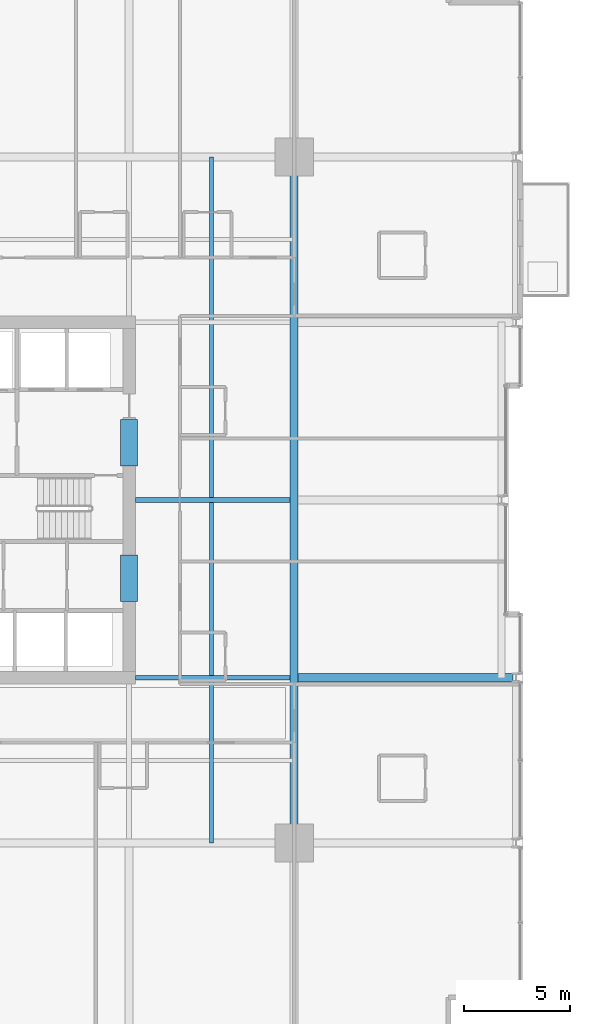
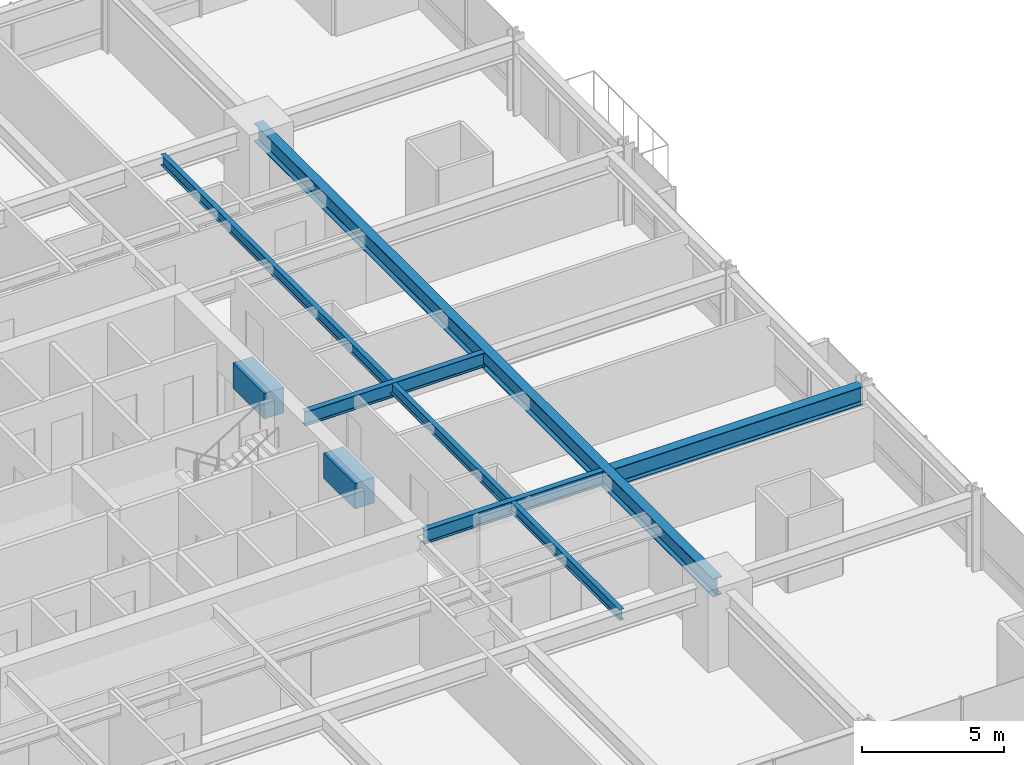
# One storey, part 15 of 38: 7 beams.
"""IFC4 building model written with IfcOpenShell, lengths in metres."""

from ifc_helpers import new_model, si_unit, direction, frame, origin, origin_2d, place, context, subcontext, project, spatial, rectangle, i_section, extrude, material, material_profile, profile_set, type_object, element, save


model = new_model("IFC4")

# Units and contexts
model_context = context("Model", 3, precision=1e-05, world=origin(), true_north=direction((0.0, 1.0)))
body_context = subcontext(model_context, "Body", "Model", "MODEL_VIEW")
ifc_project = project(units=[si_unit("LENGTHUNIT", "METRE"), si_unit("AREAUNIT", "SQUARE_METRE"), si_unit("VOLUMEUNIT", "CUBIC_METRE"), si_unit("PLANEANGLEUNIT", "RADIAN"), si_unit("MASSUNIT", "GRAM", prefix="KILO")], contexts=[model_context])

# Site, building, storey
site_placement = place(None, origin())
site = spatial("IfcSite", under=ifc_project, at=site_placement, CompositionType="ELEMENT")
building_placement = place(site_placement, origin())
building = spatial("IfcBuilding", under=site, at=building_placement, Name="Drelvath Grand Hotel", CompositionType="ELEMENT")
storey_placement = place(building_placement, frame((0.0, 0.0, 71.699951171875)))
storey = spatial("IfcBuildingStorey", under=building, at=storey_placement, Name="L17", CompositionType="ELEMENT", Elevation=71.699951171875)

# Beams
ifc_material_1 = material(Name="Steel ASTM A992 Gr 50", Category="steel")
ifc_material_profile_1 = material_profile(ifc_material_1, i_section(OverallWidth=0.19140625, OverallDepth=0.4599609375, WebThickness=0.010009765625, FlangeThickness=0.01611328125, FilletRadius=0.01611328125, at=origin_2d()), Name="W18X55")
ifc_profile_set_1 = profile_set([ifc_material_profile_1], Name="Steel ASTM A992 Gr 50")
beam_type_1 = type_object("IfcBeamType", Name="Composite Floor Joist W18X55", PredefinedType="JOIST", material=ifc_profile_set_1)
beam_1_placement = place(storey_placement, frame((12.300048828125, 10.800048828125, 3.010009765625), z_axis=(0.0, 1.0, 0.0), x_axis=(-1.0, 0.0, 0.0)))
element("IfcBeam", 1, at=beam_1_placement, inside=storey, type_object=beam_type_1, Name="L17 Wing Floor Joist J4", PredefinedType="JOIST", context=body_context, shape_type="SweptSolid", body=[
    extrude(i_section(OverallWidth=0.19140625, OverallDepth=0.4599609375, WebThickness=0.010009765625, FlangeThickness=0.01611328125, FilletRadius=0.01611328125, at=origin_2d()), origin(), (0.0, 0.0, 1.0), 32.39990234375),
])
ifc_material_2 = material(Name="Concrete f'c 70 MPa", Category="concrete")
ifc_material_profile_2 = material_profile(ifc_material_2, rectangle(XDim=0.800048828125, YDim=1.10009765625, at=origin_2d()), Name="CB800X1100")
ifc_profile_set_2 = profile_set([ifc_material_profile_2], Name="Concrete f'c 70 MPa")
beam_type_2 = type_object("IfcBeamType", Name="Core Coupling Lintel CB800X1100", PredefinedType="LINTEL", material=ifc_profile_set_2)
for number, where, z_axis, x_axis, name in (
    (2, (8.39990234375, 22.199951171875, 2.68994140625), (0.0, 1.0, 0.0), (-1.0, 0.0, 0.0), "L17 Core Coupling Lintel ES"),
    (3, (8.39990234375, 28.60009765625, 2.68994140625), (0.0, 1.0, 0.0), (-1.0, 0.0, 0.0), "L17 Core Coupling Lintel EN"),
):
    element("IfcBeam", number, at=place(storey_placement, frame(where, z_axis=z_axis, x_axis=x_axis)), inside=storey, type_object=beam_type_2, Name=name, PredefinedType="LINTEL", context=body_context, shape_type="SweptSolid", body=[
        extrude(rectangle(XDim=0.800048828125, YDim=1.10009765625, at=origin_2d()), origin(), (0.0, 0.0, 1.0), 2.199951171875),
    ])
ifc_material_profile_3 = material_profile(ifc_material_1, i_section(OverallWidth=0.228271484375, OverallDepth=0.607666015625, WebThickness=0.01123046875, FlangeThickness=0.017333984375, FilletRadius=0.02001953125, at=origin_2d()), Name="W24X76")
ifc_profile_set_3 = profile_set([ifc_material_profile_3], Name="Steel ASTM A992 Gr 50")
beam_type_3 = type_object("IfcBeamType", Name="Primary Floor Girder W24X76", PredefinedType="BEAM", material=ifc_profile_set_3)
for number, where, z_axis, x_axis, name in (
    (4, (8.699951171875, 18.60009765625, 2.936279296875), (1.0, 0.0, 0.0), (0.0, 1.0, 0.0), "L17 East Core Tie D"),
    (5, (8.699951171875, 27.0, 2.936279296875), (1.0, 0.0, 0.0), (0.0, 1.0, 0.0), "L17 East Core Tie E"),
):
    element("IfcBeam", number, at=place(storey_placement, frame(where, z_axis=z_axis, x_axis=x_axis)), inside=storey, type_object=beam_type_3, Name=name, PredefinedType="BEAM", context=body_context, shape_type="SweptSolid", body=[
        extrude(i_section(OverallWidth=0.228271484375, OverallDepth=0.607666015625, WebThickness=0.01123046875, FlangeThickness=0.017333984375, FilletRadius=0.02001953125, at=origin_2d()), origin(), (0.0, 0.0, 1.0), 7.309814453125),
    ])
ifc_material_profile_4 = material_profile(ifc_material_1, i_section(OverallWidth=0.380615234375, OverallDepth=0.773193359375, WebThickness=0.0166015625, FlangeThickness=0.027099609375, FilletRadius=0.02490234375, at=origin_2d()), Name="W30X173")
ifc_profile_set_4 = profile_set([ifc_material_profile_4], Name="Steel ASTM A992 Gr 50")
beam_type_4 = type_object("IfcBeamType", Name="Primary Floor Girder W30X173", PredefinedType="BEAM", material=ifc_profile_set_4)
beam_2_placement = place(storey_placement, frame((16.199951171875, 10.800048828125, 2.853515625), z_axis=(0.0, 1.0, 0.0), x_axis=(-1.0, 0.0, 0.0)))
element("IfcBeam", 6, at=beam_2_placement, inside=storey, type_object=beam_type_4, Name="L17 Mega Ring Girder East", PredefinedType="BEAM", context=body_context, shape_type="SweptSolid", body=[
    extrude(i_section(OverallWidth=0.380615234375, OverallDepth=0.773193359375, WebThickness=0.0166015625, FlangeThickness=0.027099609375, FilletRadius=0.02490234375, at=origin_2d()), origin(), (0.0, 0.0, 1.0), 32.39990234375),
])
beam_3_placement = place(storey_placement, frame((16.390380859375, 18.60009765625, 2.853515625), z_axis=(1.0, 0.0, 0.0), x_axis=(0.0, 1.0, 0.0)))
element("IfcBeam", 7, at=beam_3_placement, inside=storey, type_object=beam_type_4, Name="L17 East Wing Girder D", PredefinedType="BEAM", context=body_context, shape_type="SweptSolid", body=[
    extrude(i_section(OverallWidth=0.380615234375, OverallDepth=0.773193359375, WebThickness=0.0166015625, FlangeThickness=0.027099609375, FilletRadius=0.02490234375, at=origin_2d()), origin(), (0.0, 0.0, 1.0), 10.149658203125),
])

save(model, "model.ifc")
